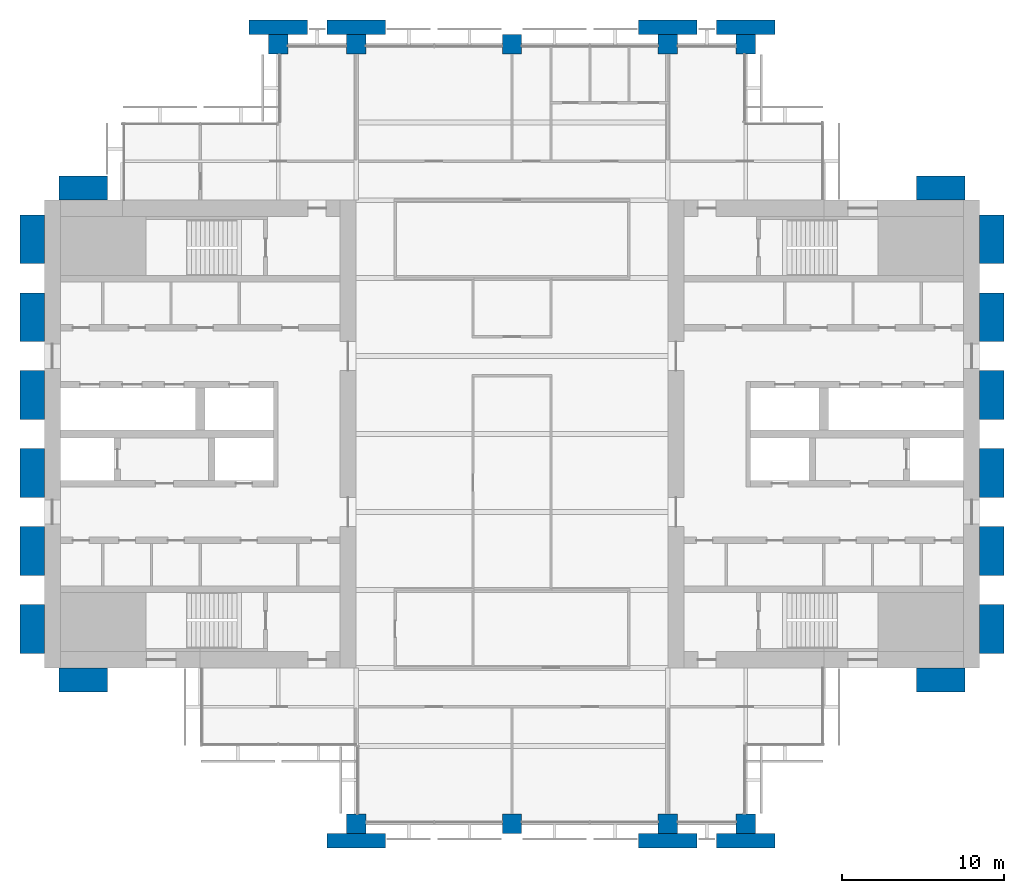
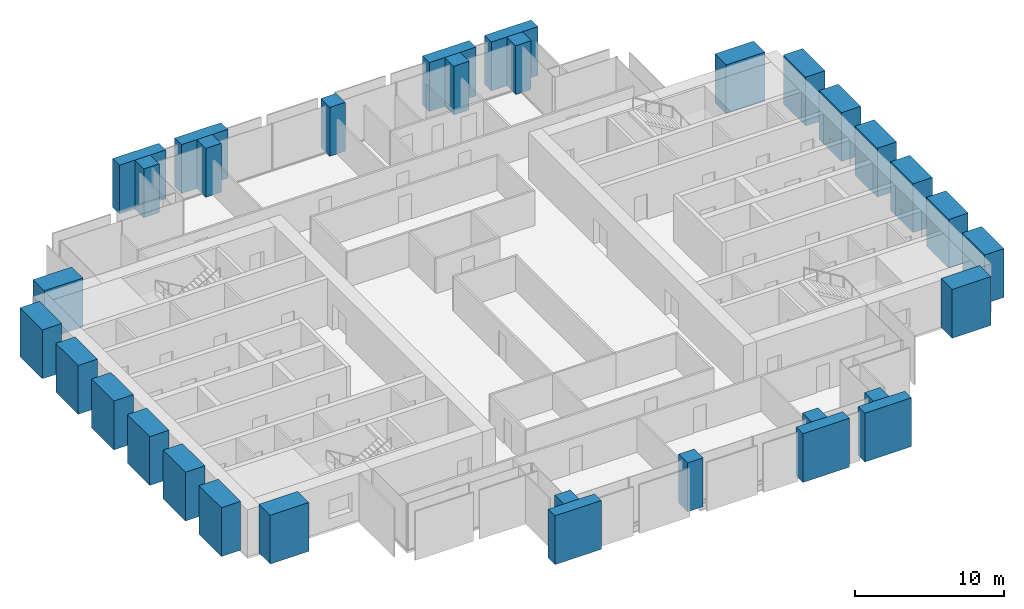
# One storey, part 1 of 14: 32 columns.
"""IFC4 building model written with IfcOpenShell, lengths in metres."""

from ifc_helpers import new_model, si_unit, direction, frame, origin, origin_2d, place, context, subcontext, project, spatial, rectangle, extrude, material, material_profile, profile_set, type_object, element, save


model = new_model("IFC4")

# Units and contexts
model_context = context("Model", 3, precision=1e-05, world=origin(), true_north=direction((0.0, 1.0)))
body_context = subcontext(model_context, "Body", "Model", "MODEL_VIEW")
ifc_project = project(units=[si_unit("LENGTHUNIT", "METRE"), si_unit("AREAUNIT", "SQUARE_METRE"), si_unit("VOLUMEUNIT", "CUBIC_METRE"), si_unit("PLANEANGLEUNIT", "RADIAN"), si_unit("MASSUNIT", "GRAM", prefix="KILO")], contexts=[model_context])

# Site, building, storey
site_placement = place(None, origin())
site = spatial("IfcSite", under=ifc_project, at=site_placement, CompositionType="ELEMENT")
building_placement = place(site_placement, origin())
building = spatial("IfcBuilding", under=site, at=building_placement, Name="Baori Bourse Tower", CompositionType="ELEMENT")
storey_placement = place(building_placement, frame((0.0, 0.0, 160.10009765625)))
storey = spatial("IfcBuildingStorey", under=building, at=storey_placement, Name="L35", CompositionType="ELEMENT", Elevation=160.10009765625)

# Columns
ifc_material_1 = material(Name="Concrete f'c 60 MPa", Category="concrete")
ifc_material_profile_1 = material_profile(ifc_material_1, rectangle(XDim=3.60009765625, YDim=0.89990234375, at=origin_2d()), Name="RC 3600x900")
ifc_profile_set_1 = profile_set([ifc_material_profile_1], Name="Concrete f'c 60 MPa")
column_type_1 = type_object("IfcColumnType", Name="FN3 Brick pilaster 3600x900", PredefinedType="PILASTER", material=ifc_profile_set_1)
for number, where, z_axis, x_axis, name in (
    (1, (19.199951171875, -1.050048828125, 0.0), (0.0, 0.0, 1.0), (1.0, 0.0, 0.0), "Brick pilaster L35 17"),
    (2, (38.39990234375, -1.050048828125, 0.0), (0.0, 0.0, 1.0), (1.0, 0.0, 0.0), "Brick pilaster L35 18"),
    (3, (43.199951171875, -1.050048828125, 0.0), (0.0, 0.0, 1.0), (1.0, 0.0, 0.0), "Brick pilaster L35 19"),
    (4, (14.39990234375, 49.050048828125, 0.0), (0.0, 0.0, 1.0), (1.0, 0.0, 0.0), "Brick pilaster L35 20"),
    (5, (19.199951171875, 49.050048828125, 0.0), (0.0, 0.0, 1.0), (1.0, 0.0, 0.0), "Brick pilaster L35 21"),
    (6, (38.39990234375, 49.050048828125, 0.0), (0.0, 0.0, 1.0), (1.0, 0.0, 0.0), "Brick pilaster L35 22"),
    (7, (43.199951171875, 49.050048828125, 0.0), (0.0, 0.0, 1.0), (1.0, 0.0, 0.0), "Brick pilaster L35 23"),
):
    element("IfcColumn", number, at=place(storey_placement, frame(where, z_axis=z_axis, x_axis=x_axis)), inside=storey, type_object=column_type_1, Name=name, PredefinedType="PILASTER", context=body_context, shape_type="SweptSolid", body=[
        extrude(rectangle(XDim=3.60009765625, YDim=0.89990234375, at=origin_2d()), origin(), (0.0, 0.0, 1.0), 4.0),
    ])
ifc_material_2 = material(Name="Concrete f'c 60 MPa", Category="concrete")
ifc_material_profile_2 = material_profile(ifc_material_2, rectangle(XDim=3.0, YDim=1.5, at=origin_2d()), Name="RC 3000x1500")
ifc_profile_set_2 = profile_set([ifc_material_profile_2], Name="Concrete f'c 60 MPa")
column_type_2 = type_object("IfcColumnType", Name="FN4 Brick flank pilaster 3000x1500", PredefinedType="PILASTER", material=ifc_profile_set_2)
for number, where, z_axis, x_axis, name in (
    (8, (55.199951171875, 8.85009765625, 0.0), (0.0, 0.0, 1.0), (1.0, 0.0, 0.0), "Brick pilaster L35 1"),
    (9, (58.35009765625, 12.0, 0.0), (0.0, 0.0, 1.0), (0.0, 1.0, 0.0), "Brick pilaster L35 2"),
    (10, (58.35009765625, 16.800048828125, 0.0), (0.0, 0.0, 1.0), (0.0, 1.0, 0.0), "Brick pilaster L35 3"),
    (11, (58.35009765625, 21.60009765625, 0.0), (0.0, 0.0, 1.0), (0.0, 1.0, 0.0), "Brick pilaster L35 4"),
    (12, (58.35009765625, 26.39990234375, 0.0), (0.0, 0.0, 1.0), (0.0, 1.0, 0.0), "Brick pilaster L35 5"),
    (13, (58.35009765625, 31.199951171875, 0.0), (0.0, 0.0, 1.0), (0.0, 1.0, 0.0), "Brick pilaster L35 6"),
    (14, (58.35009765625, 36.0, 0.0), (0.0, 0.0, 1.0), (0.0, 1.0, 0.0), "Brick pilaster L35 7"),
    (15, (55.199951171875, 39.14990234375, 0.0), (0.0, 0.0, 1.0), (1.0, 0.0, 0.0), "Brick pilaster L35 8"),
    (16, (2.39990234375, 39.14990234375, 0.0), (0.0, 0.0, 1.0), (1.0, 0.0, 0.0), "Brick pilaster L35 9"),
    (17, (-0.75, 12.0, 0.0), (0.0, 0.0, 1.0), (0.0, 1.0, 0.0), "Brick pilaster L35 10"),
    (18, (-0.75, 16.800048828125, 0.0), (0.0, 0.0, 1.0), (0.0, 1.0, 0.0), "Brick pilaster L35 11"),
    (19, (-0.75, 21.60009765625, 0.0), (0.0, 0.0, 1.0), (0.0, 1.0, 0.0), "Brick pilaster L35 12"),
    (20, (-0.75, 26.39990234375, 0.0), (0.0, 0.0, 1.0), (0.0, 1.0, 0.0), "Brick pilaster L35 13"),
    (21, (-0.75, 31.199951171875, 0.0), (0.0, 0.0, 1.0), (0.0, 1.0, 0.0), "Brick pilaster L35 14"),
    (22, (-0.75, 36.0, 0.0), (0.0, 0.0, 1.0), (0.0, 1.0, 0.0), "Brick pilaster L35 15"),
    (23, (2.39990234375, 8.85009765625, 0.0), (0.0, 0.0, 1.0), (1.0, 0.0, 0.0), "Brick pilaster L35 16"),
):
    element("IfcColumn", number, at=place(storey_placement, frame(where, z_axis=z_axis, x_axis=x_axis)), inside=storey, type_object=column_type_2, Name=name, PredefinedType="PILASTER", context=body_context, shape_type="SweptSolid", body=[
        extrude(rectangle(XDim=3.0, YDim=1.5, at=origin_2d()), origin(), (0.0, 0.0, 1.0), 4.0),
    ])
ifc_material_3 = material(Name="Concrete f'c 60 MPa", Category="concrete")
ifc_material_profile_3 = material_profile(ifc_material_3, rectangle(XDim=1.199951171875, YDim=1.199951171875, at=origin_2d()), Name="RC 1200x1200")
ifc_profile_set_3 = profile_set([ifc_material_profile_3], Name="Concrete f'c 60 MPa")
column_type_3 = type_object("IfcColumnType", Name="Perimeter column 60 RC 1200x1200", PredefinedType="COLUMN", material=ifc_profile_set_3)
for number, where, z_axis, x_axis, name in (
    (24, (19.199951171875, 0.0, 0.0), (0.0, 0.0, 1.0), (1.0, 0.0, 0.0), "Perimeter column L35"),
    (25, (28.800048828125, 0.0, 0.0), (0.0, 0.0, 1.0), (1.0, 0.0, 0.0), "Perimeter column L35"),
    (26, (38.39990234375, 0.0, 0.0), (0.0, 0.0, 1.0), (1.0, 0.0, 0.0), "Perimeter column L35"),
    (27, (43.199951171875, 0.0, 0.0), (0.0, 0.0, 1.0), (1.0, 0.0, 0.0), "Perimeter column L35"),
    (28, (14.39990234375, 48.0, 0.0), (0.0, 0.0, 1.0), (1.0, 0.0, 0.0), "Perimeter column L35"),
    (29, (19.199951171875, 48.0, 0.0), (0.0, 0.0, 1.0), (1.0, 0.0, 0.0), "Perimeter column L35"),
    (30, (28.800048828125, 48.0, 0.0), (0.0, 0.0, 1.0), (1.0, 0.0, 0.0), "Perimeter column L35"),
    (31, (38.39990234375, 48.0, 0.0), (0.0, 0.0, 1.0), (1.0, 0.0, 0.0), "Perimeter column L35"),
    (32, (43.199951171875, 48.0, 0.0), (0.0, 0.0, 1.0), (1.0, 0.0, 0.0), "Perimeter column L35"),
):
    element("IfcColumn", number, at=place(storey_placement, frame(where, z_axis=z_axis, x_axis=x_axis)), inside=storey, type_object=column_type_3, Name=name, PredefinedType="COLUMN", context=body_context, shape_type="SweptSolid", body=[
        extrude(rectangle(XDim=1.199951171875, YDim=1.199951171875, at=origin_2d()), origin(), (0.0, 0.0, 1.0), 4.0),
    ])

save(model, "model.ifc")
